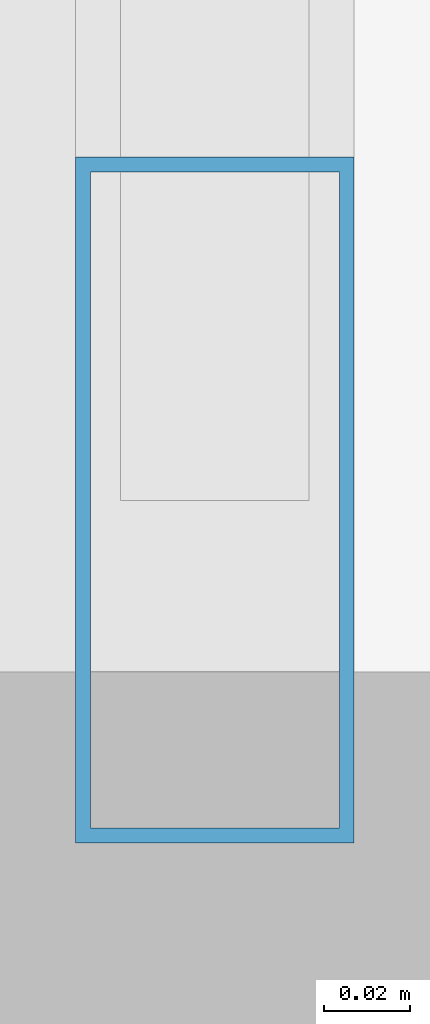
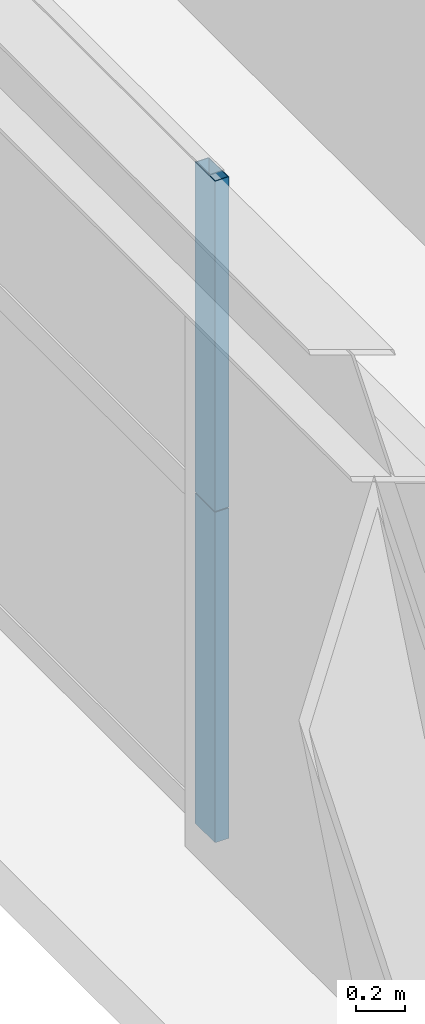
# One storey, part 7 of 42: 2 members, 1 element without a shape of its own.
"""IFC4 building model written with IfcOpenShell, lengths in metres."""

from ifc_helpers import new_model, si_unit, direction, frame, origin, origin_2d, place, context, subcontext, project, spatial, hollow_rectangle, extrude, source, transform, mapped, material, layer, layer_set, material_profile, profile_set, type_object, element, aggregate, save


model = new_model("IFC4")

# Units and contexts
model_context = context("Model", 3, precision=1e-05, world=origin(), true_north=direction((0.0, 1.0)))
body_context = subcontext(model_context, "Body", "Model", "MODEL_VIEW")
ifc_project = project(units=[si_unit("LENGTHUNIT", "METRE"), si_unit("AREAUNIT", "SQUARE_METRE"), si_unit("VOLUMEUNIT", "CUBIC_METRE"), si_unit("PLANEANGLEUNIT", "RADIAN"), si_unit("MASSUNIT", "GRAM", prefix="KILO"), si_unit("THERMODYNAMICTEMPERATUREUNIT", "KELVIN"), si_unit("POWERUNIT", "WATT")], contexts=[model_context])

# Site, building, storey
site_placement = place(None, origin())
site = spatial("IfcSite", under=ifc_project, at=site_placement, CompositionType="ELEMENT")
building_placement = place(site_placement, origin())
building = spatial("IfcBuilding", under=site, at=building_placement, Name="Yuzanri Waterfront Tower", CompositionType="ELEMENT")
storey_placement = place(building_placement, frame((0.0, 0.0, 205.5)))
storey = spatial("IfcBuildingStorey", under=building, at=storey_placement, Name="L54", CompositionType="ELEMENT", Elevation=205.5)

# Curtain wall, members
ifc_material_1 = material(Name="Anodized Architectural Bronze", Category="metal")
ifc_layer = layer(ifc_material_1, 0.159912109375)
ifc_layer_set = layer_set([ifc_layer], Name="Anodized Architectural Bronze")
curtain_wall_type = type_object("IfcCurtainWallType", Name="Anodized Bronze Mid-Rise Residential Acoustic Unitized Curtain Wall 7200", PredefinedType="NOTDEFINED", material=ifc_layer_set)
curtain_wall_placement = place(storey_placement, origin())
curtain_wall = element("IfcCurtainWall", 1, at=curtain_wall_placement, inside=storey, type_object=curtain_wall_type, Name="L54 Curtain Wall CW-L54-WL", PredefinedType="NOTDEFINED")
ifc_material_2 = material(Name="Anodized Architectural Bronze", Category="metal")
ifc_material_profile = material_profile(ifc_material_2, hollow_rectangle(XDim=0.06494140625, YDim=0.159912109375, WallThickness=0.00341796875, at=origin_2d()), Name="CWM 65x160")
ifc_profile_set = profile_set([ifc_material_profile], Name="Anodized Architectural Bronze")
member_type = type_object("IfcMemberType", Name="Anodized Bronze Upper-Zone Curtain-Wall Mullion 65x160", PredefinedType="MULLION", material=ifc_profile_set)
shared_shape = source(origin(), body_context, "Body", "SweptSolid", [
    extrude(hollow_rectangle(XDim=0.06494140625, YDim=0.159912109375, WallThickness=0.00341796875, at=origin_2d()), origin(), (0.0, 0.0, 1.0), 1.637939453125),
])
member_1_placement = place(storey_placement, frame((15.050048828125, 11.090087890625, 0.0), z_axis=(0.0, 0.0, 1.0), x_axis=(1.0, 0.0, 0.0)))
member_1 = element("IfcMember", 2, at=member_1_placement, type_object=member_type, Name="CW-L54-WL Lower Mullion 00", PredefinedType="MULLION", context=body_context, shape_type="MappedRepresentation", body=[
    mapped(shared_shape, transform((0.0, 0.0, 0.0), scale=1.0)),
])
member_2_placement = place(storey_placement, frame((15.050048828125, 11.090087890625, 1.64208984375), z_axis=(0.0, 0.0, 1.0), x_axis=(1.0, 0.0, 0.0)))
member_2 = element("IfcMember", 3, at=member_2_placement, type_object=member_type, Name="CW-L54-WL Upper Mullion 00", PredefinedType="MULLION", context=body_context, shape_type="MappedRepresentation", body=[
    mapped(shared_shape, transform((0.0, 0.0, 0.0), scale=1.0)),
])
aggregate(curtain_wall, [member_1, member_2])

save(model, "model.ifc")
